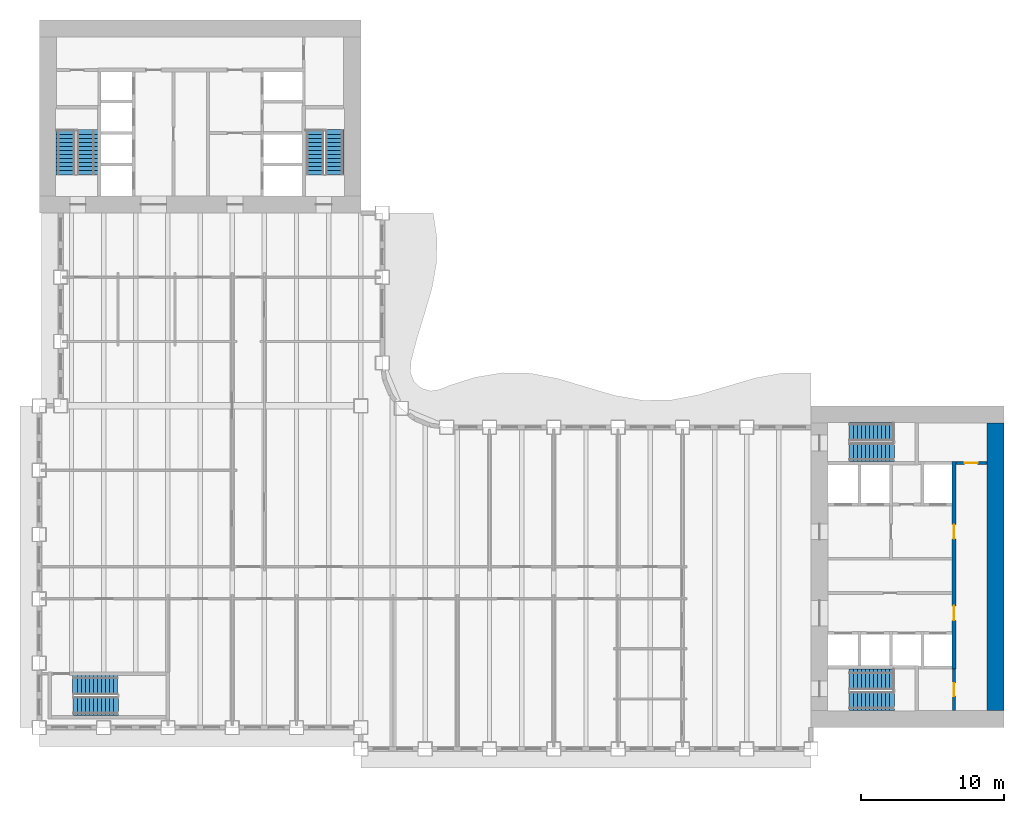
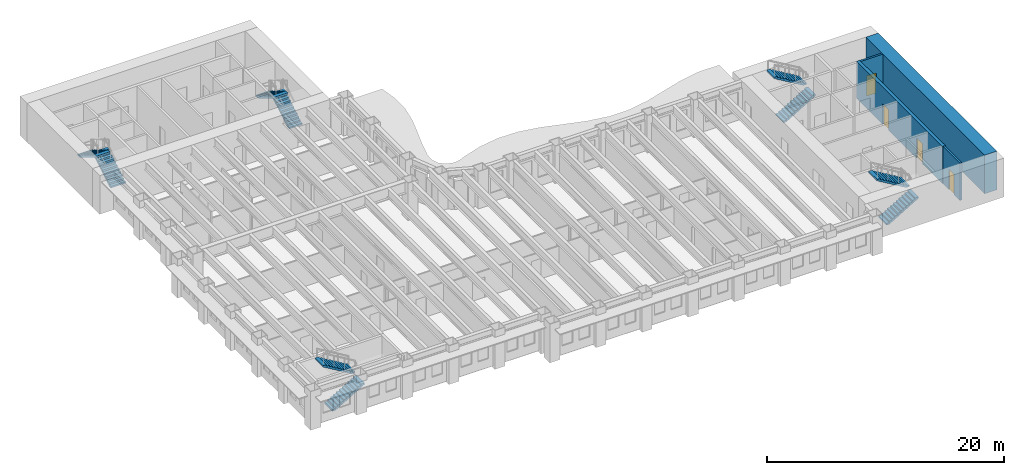
# One storey, part 10 of 16: 10 stair flights, 4 doors, 4 walls, 4 openings, 5 elements without a shape of their own.
"""IFC4 building model written with IfcOpenShell, lengths in metres."""

from ifc_helpers import new_model, si_unit, direction, frame, frame_2d, origin, place, context, subcontext, project, spatial, polyline, rectangle, outline, extrude, material, layer, layer_set, type_object, element, fill, aggregate, save


model = new_model("IFC4")

# Units and contexts
model_context = context("Model", 3, precision=1e-05, world=origin(), true_north=direction((0.0, 1.0)))
body_context = subcontext(model_context, "Body", "Model", "MODEL_VIEW")
ifc_project = project(units=[si_unit("LENGTHUNIT", "METRE"), si_unit("AREAUNIT", "SQUARE_METRE"), si_unit("VOLUMEUNIT", "CUBIC_METRE"), si_unit("PLANEANGLEUNIT", "RADIAN"), si_unit("MASSUNIT", "GRAM", prefix="KILO")], contexts=[model_context])

# Site, building, storey
site_placement = place(None, origin())
site = spatial("IfcSite", under=ifc_project, at=site_placement, CompositionType="ELEMENT")
building_placement = place(site_placement, origin())
building = spatial("IfcBuilding", under=site, at=building_placement, Name="Sennacour Bend Tower", CompositionType="ELEMENT")
storey_placement = place(building_placement, frame((0.0, 0.0, 115.0)))
storey = spatial("IfcBuildingStorey", under=building, at=storey_placement, Name="L26", CompositionType="ELEMENT", Elevation=115.0)

# Wall
ifc_material_1 = material(Name="Concrete C80/95", Category="concrete")
ifc_layer_1 = layer(ifc_material_1, 1.199951171875, Name="Concrete C80/95", Category="concrete")
ifc_layer_set_1 = layer_set([ifc_layer_1], Name="Concrete C80/95")
wall_type_1 = type_object("IfcWallType", Name="Core wall 1200 C80/95", PredefinedType="SHEAR", material=ifc_layer_set_1)
wall_1_placement = place(storey_placement, frame((66.89990234375, 1.199951171875, -0.14990234375), z_axis=(0.0, 0.0, 1.0), x_axis=(0.0, 1.0, 0.0)))
element("IfcWall", 1, at=wall_1_placement, inside=storey, type_object=wall_type_1, Name="Core A wall L26 E", PredefinedType="SHEAR", context=body_context, shape_type="SweptSolid", body=[
    extrude(rectangle(XDim=20.10009765625, YDim=1.199951171875, at=frame_2d((10.050048828125, 0.0))), origin(), (0.0, 0.0, 1.0), 4.0),
])

# Wall, opening, door
ifc_material_2 = material(Name="Fire-rated plasterboard partition on steel studs", Category="steel")
ifc_layer_2 = layer(ifc_material_2, 0.199951171875, Name="Fire-rated plasterboard partition on steel studs", Category="steel")
ifc_layer_set_2 = layer_set([ifc_layer_2], Name="Fire-rated plasterboard partition on steel studs")
wall_type_2 = type_object("IfcWallType", Name="Rated partition 200", PredefinedType="PARTITIONING", material=ifc_layer_set_2)
wall_2_placement = place(storey_placement, frame((64.0, 1.199951171875, 0.0), z_axis=(0.0, 0.0, 1.0), x_axis=(0.0, 1.0, 0.0)))
wall_2 = element("IfcWall", 2, at=wall_2_placement, inside=storey, type_object=wall_type_2, Name="P-L26-W044", PredefinedType="PARTITIONING", context=body_context, shape_type="SweptSolid", body=[
    extrude(rectangle(XDim=2.900146484375, YDim=0.199951171875, at=frame_2d((1.4501953125, 0.0))), origin(), (0.0, 0.0, 1.0), 3.85009765625),
])
opening_1_placement = place(wall_2_placement, frame((1.0, 0.0, 0.0)))
opening_1 = element("IfcOpeningElement", 3, at=opening_1_placement, cuts=wall_2, Name="Opening SV", PredefinedType="OPENING", context=body_context, shape_type="SweptSolid", body=[
    extrude(rectangle(XDim=0.89990234375, YDim=2.10009765625, at=frame_2d((0.449951171875, 1.050048828125))), frame((0.0, 0.10986328125, 0.0), z_axis=(0.0, -1.0, 0.0), x_axis=(1.0, 0.0, 0.0)), (0.0, 0.0, 1.0), 0.219970703125),
])
ifc_material_3 = material(Name="Painted steel", Category="steel")
door_type_1 = type_object("IfcDoorType", Name="DR-SERVICE-900", OperationType="NOTDEFINED", PredefinedType="DOOR", material=ifc_material_3)
door_1_placement = place(opening_1_placement, origin())
door_1 = element("IfcDoor", 4, at=door_1_placement, inside=storey, type_object=door_type_1, Name="Door", OperationType="SINGLE_SWING_LEFT", OverallHeight=2.10009765625, OverallWidth=0.89990234375, PredefinedType="DOOR", context=body_context, shape_type="SweptSolid", body=[
    extrude(rectangle(XDim=0.89990234375, YDim=2.10009765625, at=frame_2d((0.449951171875, 1.050048828125))), frame((0.0, 0.02490234375, 0.0), z_axis=(0.0, -1.0, 0.0), x_axis=(1.0, 0.0, 0.0)), (0.0, 0.0, 1.0), 0.050048828125),
])
fill(opening_1, door_1)

wall_3_placement = place(storey_placement, frame((64.14990234375, 18.5, 0.0), z_axis=(0.0, 0.0, 1.0), x_axis=(1.0, 0.0, 0.0)))
wall_3 = element("IfcWall", 5, at=wall_3_placement, inside=storey, type_object=wall_type_2, Name="P-L26-W066", PredefinedType="PARTITIONING", context=body_context, shape_type="SweptSolid", body=[
    extrude(rectangle(XDim=2.150146484375, YDim=0.199951171875, at=frame_2d((1.0751953125, 0.0))), origin(), (0.0, 0.0, 1.0), 3.85009765625),
])
opening_2_placement = place(wall_3_placement, frame((0.60009765625, 0.0, 0.0)))
opening_2 = element("IfcOpeningElement", 6, at=opening_2_placement, cuts=wall_3, Name="Opening SV", PredefinedType="OPENING", context=body_context, shape_type="SweptSolid", body=[
    extrude(rectangle(XDim=0.89990234375, YDim=2.10009765625, at=frame_2d((0.449951171875, 1.050048828125))), frame((0.0, 0.10986328125, 0.0), z_axis=(0.0, -1.0, 0.0), x_axis=(1.0, 0.0, 0.0)), (0.0, 0.0, 1.0), 0.219970703125),
])
door_2_placement = place(opening_2_placement, origin())
door_2 = element("IfcDoor", 7, at=door_2_placement, inside=storey, type_object=door_type_1, Name="Door", OperationType="SINGLE_SWING_LEFT", OverallHeight=2.10009765625, OverallWidth=0.89990234375, PredefinedType="DOOR", context=body_context, shape_type="SweptSolid", body=[
    extrude(rectangle(XDim=0.89990234375, YDim=2.10009765625, at=frame_2d((0.449951171875, 1.050048828125))), frame((0.0, 0.02490234375, 0.0), z_axis=(0.0, -1.0, 0.0), x_axis=(1.0, 0.0, 0.0)), (0.0, 0.0, 1.0), 0.050048828125),
])
fill(opening_2, door_2)

# Wall, openings, doors
ifc_material_4 = material(Name="Concrete C60/75", Category="concrete")
ifc_layer_3 = layer(ifc_material_4, 0.300048828125, Name="Concrete C60/75", Category="concrete")
ifc_layer_set_3 = layer_set([ifc_layer_3], Name="Concrete C60/75")
wall_type_3 = type_object("IfcWallType", Name="Spine wall 300", PredefinedType="SHEAR", material=ifc_layer_set_3)
wall_4_placement = place(storey_placement, frame((64.0, 4.10009765625, 0.0), z_axis=(0.0, 0.0, 1.0), x_axis=(0.0, 1.0, 0.0)))
wall_4 = element("IfcWall", 8, at=wall_4_placement, inside=storey, type_object=wall_type_3, Name="P-L26-W045", PredefinedType="SHEAR", context=body_context, shape_type="SweptSolid", body=[
    extrude(rectangle(XDim=14.5, YDim=0.300048828125, at=frame_2d((7.25, 0.0))), origin(), (0.0, 0.0, 1.0), 3.85009765625),
])
opening_3_placement = place(wall_4_placement, frame((3.39990234375, 0.0, 0.0)))
opening_3 = element("IfcOpeningElement", 9, at=opening_3_placement, cuts=wall_4, Name="Opening CD2", PredefinedType="OPENING", context=body_context, shape_type="SweptSolid", body=[
    extrude(rectangle(XDim=1.0, YDim=2.10009765625, at=frame_2d((0.5, 1.050048828125))), frame((0.0, 0.16015625, 0.0), z_axis=(0.0, -1.0, 0.0), x_axis=(1.0, 0.0, 0.0)), (0.0, 0.0, 1.0), 0.320068359375),
])
opening_4_placement = place(wall_4_placement, frame((9.099853515625, 0.0, 0.0)))
opening_4 = element("IfcOpeningElement", 10, at=opening_4_placement, cuts=wall_4, Name="Opening CD2", PredefinedType="OPENING", context=body_context, shape_type="SweptSolid", body=[
    extrude(rectangle(XDim=1.0, YDim=2.10009765625, at=frame_2d((0.5, 1.050048828125))), frame((0.0, 0.16015625, 0.0), z_axis=(0.0, -1.0, 0.0), x_axis=(1.0, 0.0, 0.0)), (0.0, 0.0, 1.0), 0.320068359375),
])
door_type_2 = type_object("IfcDoorType", Name="DR-LOBBY-1000", OperationType="NOTDEFINED", PredefinedType="DOOR", material=ifc_material_3)
door_3_placement = place(opening_3_placement, origin())
door_3 = element("IfcDoor", 11, at=door_3_placement, inside=storey, type_object=door_type_2, Name="Door", OperationType="SINGLE_SWING_LEFT", OverallHeight=2.10009765625, OverallWidth=1.0, PredefinedType="DOOR", context=body_context, shape_type="SweptSolid", body=[
    extrude(rectangle(XDim=1.0, YDim=2.10009765625, at=frame_2d((0.5, 1.050048828125))), frame((0.0, 0.02490234375, 0.0), z_axis=(0.0, -1.0, 0.0), x_axis=(1.0, 0.0, 0.0)), (0.0, 0.0, 1.0), 0.050048828125),
])
fill(opening_3, door_3)
door_4_placement = place(opening_4_placement, origin())
door_4 = element("IfcDoor", 12, at=door_4_placement, inside=storey, type_object=door_type_2, Name="Door", OperationType="SINGLE_SWING_RIGHT", OverallHeight=2.10009765625, OverallWidth=1.0, PredefinedType="DOOR", context=body_context, shape_type="SweptSolid", body=[
    extrude(rectangle(XDim=1.0, YDim=2.10009765625, at=frame_2d((0.5, 1.050048828125))), frame((0.0, 0.02490234375, 0.0), z_axis=(0.0, -1.0, 0.0), x_axis=(1.0, 0.0, 0.0)), (0.0, 0.0, 1.0), 0.050048828125),
])
fill(opening_4, door_4)

# Stair, stair flights
ifc_material_5 = material(Name="Concrete C40/50", Category="concrete")
stair_type = type_object("IfcStairType", Name="ST-DOGLEG", PredefinedType="HALF_TURN_STAIR", material=ifc_material_5)
stair_1_placement = place(storey_placement, origin())
stair_1 = element("IfcStair", 13, at=stair_1_placement, inside=storey, type_object=stair_type, Name="L26 Exit stair A1", PredefinedType="HALF_TURN_STAIR")
stair_flight_type = type_object("IfcStairFlightType", Name="SFL-RC", PredefinedType="STRAIGHT", material=ifc_material_5)
stair_flight_1_placement = place(storey_placement, frame((56.699951171875, 1.8349609375, 0.0), z_axis=(0.0, 0.0, 1.0), x_axis=(1.0, 0.0, 0.0)))
stair_flight_1 = element("IfcStairFlight", 14, at=stair_flight_1_placement, type_object=stair_flight_type, Name="SA1 flight 1", NumberOfRisers=12, NumberOfTreads=11, PredefinedType="STRAIGHT", RiserHeight=0.166666667, TreadLength=0.28, context=body_context, shape_type="SweptSolid", body=[
    extrude(outline(polyline([(0.0, 0.0), (0.0, 0.166748046875), (0.280029296875, 0.166748046875), (0.280029296875, 0.333251953125), (0.56005859375, 0.333251953125), (0.56005859375, 0.5), (0.840087890625, 0.5), (0.840087890625, 0.666748046875), (1.1201171875, 0.666748046875), (1.1201171875, 0.833251953125), (1.39990234375, 0.833251953125), (1.39990234375, 1.0), (1.679931640625, 1.0), (1.679931640625, 1.166748046875), (1.9599609375, 1.166748046875), (1.9599609375, 1.333251953125), (2.239990234375, 1.333251953125), (2.239990234375, 1.5), (2.52001953125, 1.5), (2.52001953125, 1.666748046875), (2.800048828125, 1.666748046875), (2.800048828125, 1.833251953125), (3.080078125, 1.833251953125), (3.139892578125, 1.833251953125), (3.139892578125, 1.658935546875), (3.080078125, 1.658935546875), (0.29296875, 0.0), (0.0, 0.0)])), frame((0.0, 0.6650390625, 0.0), z_axis=(0.0, -1.0, 0.0), x_axis=(1.0, 0.0, 0.0)), (0.0, 0.0, 1.0), 1.330078125),
])
stair_flight_2_placement = place(storey_placement, frame((59.780029296875, 3.37744140625, 2.0), z_axis=(0.0, 0.0, 1.0), x_axis=(-1.0, 0.0, 0.0)))
stair_flight_2 = element("IfcStairFlight", 15, at=stair_flight_2_placement, type_object=stair_flight_type, Name="SA1 flight 2", NumberOfRisers=12, NumberOfTreads=11, PredefinedType="STRAIGHT", RiserHeight=0.166666667, TreadLength=0.28, context=body_context, shape_type="SweptSolid", body=[
    extrude(outline(polyline([(0.0, 0.0), (0.0, 0.166748046875), (0.280029296875, 0.166748046875), (0.280029296875, 0.333251953125), (0.56005859375, 0.333251953125), (0.56005859375, 0.5), (0.840087890625, 0.5), (0.840087890625, 0.666748046875), (1.1201171875, 0.666748046875), (1.1201171875, 0.833251953125), (1.39990234375, 0.833251953125), (1.39990234375, 1.0), (1.679931640625, 1.0), (1.679931640625, 1.166748046875), (1.9599609375, 1.166748046875), (1.9599609375, 1.333251953125), (2.239990234375, 1.333251953125), (2.239990234375, 1.5), (2.52001953125, 1.5), (2.52001953125, 1.666748046875), (2.800048828125, 1.666748046875), (2.800048828125, 1.833251953125), (3.080078125, 1.833251953125), (3.139892578125, 1.833251953125), (3.139892578125, 1.658935546875), (3.080078125, 1.658935546875), (0.29296875, 0.0), (0.0, 0.0)])), frame((0.0, 0.7275390625, 0.0), z_axis=(0.0, -1.0, 0.0), x_axis=(1.0, 0.0, 0.0)), (0.0, 0.0, 1.0), 1.455078125),
])
aggregate(stair_1, [stair_flight_1, stair_flight_2])

stair_2_placement = place(storey_placement, origin())
stair_2 = element("IfcStair", 16, at=stair_2_placement, inside=storey, type_object=stair_type, Name="L26 Exit stair A2", PredefinedType="HALF_TURN_STAIR")
stair_flight_3_placement = place(storey_placement, frame((56.699951171875, 19.24755859375, 0.0), z_axis=(0.0, 0.0, 1.0), x_axis=(1.0, 0.0, 0.0)))
stair_flight_3 = element("IfcStairFlight", 17, at=stair_flight_3_placement, type_object=stair_flight_type, Name="SA2 flight 1", NumberOfRisers=12, NumberOfTreads=11, PredefinedType="STRAIGHT", RiserHeight=0.166666667, TreadLength=0.28, context=body_context, shape_type="SweptSolid", body=[
    extrude(outline(polyline([(0.0, 0.0), (0.0, 0.166748046875), (0.280029296875, 0.166748046875), (0.280029296875, 0.333251953125), (0.56005859375, 0.333251953125), (0.56005859375, 0.5), (0.840087890625, 0.5), (0.840087890625, 0.666748046875), (1.1201171875, 0.666748046875), (1.1201171875, 0.833251953125), (1.39990234375, 0.833251953125), (1.39990234375, 1.0), (1.679931640625, 1.0), (1.679931640625, 1.166748046875), (1.9599609375, 1.166748046875), (1.9599609375, 1.333251953125), (2.239990234375, 1.333251953125), (2.239990234375, 1.5), (2.52001953125, 1.5), (2.52001953125, 1.666748046875), (2.800048828125, 1.666748046875), (2.800048828125, 1.833251953125), (3.080078125, 1.833251953125), (3.139892578125, 1.833251953125), (3.139892578125, 1.658935546875), (3.080078125, 1.658935546875), (0.29296875, 0.0), (0.0, 0.0)])), frame((0.0, 0.65234375, 0.0), z_axis=(0.0, -1.0, 0.0), x_axis=(1.0, 0.0, 0.0)), (0.0, 0.0, 1.0), 1.304931640625),
])
stair_flight_4_placement = place(storey_placement, frame((59.780029296875, 20.68994140625, 2.0), z_axis=(0.0, 0.0, 1.0), x_axis=(-1.0, 0.0, 0.0)))
stair_flight_4 = element("IfcStairFlight", 18, at=stair_flight_4_placement, type_object=stair_flight_type, Name="SA2 flight 2", NumberOfRisers=12, NumberOfTreads=11, PredefinedType="STRAIGHT", RiserHeight=0.166666667, TreadLength=0.28, context=body_context, shape_type="SweptSolid", body=[
    extrude(outline(polyline([(0.0, 0.0), (0.0, 0.166748046875), (0.280029296875, 0.166748046875), (0.280029296875, 0.333251953125), (0.56005859375, 0.333251953125), (0.56005859375, 0.5), (0.840087890625, 0.5), (0.840087890625, 0.666748046875), (1.1201171875, 0.666748046875), (1.1201171875, 0.833251953125), (1.39990234375, 0.833251953125), (1.39990234375, 1.0), (1.679931640625, 1.0), (1.679931640625, 1.166748046875), (1.9599609375, 1.166748046875), (1.9599609375, 1.333251953125), (2.239990234375, 1.333251953125), (2.239990234375, 1.5), (2.52001953125, 1.5), (2.52001953125, 1.666748046875), (2.800048828125, 1.666748046875), (2.800048828125, 1.833251953125), (3.080078125, 1.833251953125), (3.139892578125, 1.833251953125), (3.139892578125, 1.658935546875), (3.080078125, 1.658935546875), (0.29296875, 0.0), (0.0, 0.0)])), frame((0.0, 0.64013671875, 0.0), z_axis=(0.0, -1.0, 0.0), x_axis=(1.0, 0.0, 0.0)), (0.0, 0.0, 1.0), 1.280029296875),
])
aggregate(stair_2, [stair_flight_3, stair_flight_4])

stair_3_placement = place(storey_placement, origin())
stair_3 = element("IfcStair", 19, at=stair_3_placement, inside=storey, type_object=stair_type, Name="L26 Exit stair B1", PredefinedType="HALF_TURN_STAIR")
stair_flight_5_placement = place(storey_placement, frame((3.37744140625, 38.699951171875, 0.0), z_axis=(0.0, 0.0, 1.0), x_axis=(0.0, 1.0, 0.0)))
stair_flight_5 = element("IfcStairFlight", 20, at=stair_flight_5_placement, type_object=stair_flight_type, Name="SB1 flight 1", NumberOfRisers=12, NumberOfTreads=11, PredefinedType="STRAIGHT", RiserHeight=0.166666667, TreadLength=0.28, context=body_context, shape_type="SweptSolid", body=[
    extrude(outline(polyline([(0.0, 0.0), (0.0, 0.166748046875), (0.280029296875, 0.166748046875), (0.280029296875, 0.333251953125), (0.56005859375, 0.333251953125), (0.56005859375, 0.5), (0.840087890625, 0.5), (0.840087890625, 0.666748046875), (1.1201171875, 0.666748046875), (1.1201171875, 0.833251953125), (1.39990234375, 0.833251953125), (1.39990234375, 1.0), (1.679931640625, 1.0), (1.679931640625, 1.166748046875), (1.9599609375, 1.166748046875), (1.9599609375, 1.333251953125), (2.239990234375, 1.333251953125), (2.239990234375, 1.5), (2.52001953125, 1.5), (2.52001953125, 1.666748046875), (2.800048828125, 1.666748046875), (2.800048828125, 1.833251953125), (3.080078125, 1.833251953125), (3.139892578125, 1.833251953125), (3.139892578125, 1.658935546875), (3.080078125, 1.658935546875), (0.29296875, 0.0), (0.0, 0.0)])), frame((0.0, 0.7275390625, 0.0), z_axis=(0.0, -1.0, 0.0), x_axis=(1.0, 0.0, 0.0)), (0.0, 0.0, 1.0), 1.455078125),
])
stair_flight_6_placement = place(storey_placement, frame((1.8349609375, 41.780029296875, 2.0), z_axis=(0.0, 0.0, 1.0), x_axis=(0.0, -1.0, 0.0)))
stair_flight_6 = element("IfcStairFlight", 21, at=stair_flight_6_placement, type_object=stair_flight_type, Name="SB1 flight 2", NumberOfRisers=12, NumberOfTreads=11, PredefinedType="STRAIGHT", RiserHeight=0.166666667, TreadLength=0.28, context=body_context, shape_type="SweptSolid", body=[
    extrude(outline(polyline([(0.0, 0.0), (0.0, 0.166748046875), (0.280029296875, 0.166748046875), (0.280029296875, 0.333251953125), (0.56005859375, 0.333251953125), (0.56005859375, 0.5), (0.840087890625, 0.5), (0.840087890625, 0.666748046875), (1.1201171875, 0.666748046875), (1.1201171875, 0.833251953125), (1.39990234375, 0.833251953125), (1.39990234375, 1.0), (1.679931640625, 1.0), (1.679931640625, 1.166748046875), (1.9599609375, 1.166748046875), (1.9599609375, 1.333251953125), (2.239990234375, 1.333251953125), (2.239990234375, 1.5), (2.52001953125, 1.5), (2.52001953125, 1.666748046875), (2.800048828125, 1.666748046875), (2.800048828125, 1.833251953125), (3.080078125, 1.833251953125), (3.139892578125, 1.833251953125), (3.139892578125, 1.658935546875), (3.080078125, 1.658935546875), (0.29296875, 0.0), (0.0, 0.0)])), frame((0.0, 0.6650390625, 0.0), z_axis=(0.0, -1.0, 0.0), x_axis=(1.0, 0.0, 0.0)), (0.0, 0.0, 1.0), 1.330078125),
])
aggregate(stair_3, [stair_flight_5, stair_flight_6])

stair_4_placement = place(storey_placement, origin())
stair_4 = element("IfcStair", 22, at=stair_4_placement, inside=storey, type_object=stair_type, Name="L26 Exit stair B2", PredefinedType="HALF_TURN_STAIR")
stair_flight_7_placement = place(storey_placement, frame((20.68994140625, 38.699951171875, 0.0), z_axis=(0.0, 0.0, 1.0), x_axis=(0.0, 1.0, 0.0)))
stair_flight_7 = element("IfcStairFlight", 23, at=stair_flight_7_placement, type_object=stair_flight_type, Name="SB2 flight 1", NumberOfRisers=12, NumberOfTreads=11, PredefinedType="STRAIGHT", RiserHeight=0.166666667, TreadLength=0.28, context=body_context, shape_type="SweptSolid", body=[
    extrude(outline(polyline([(0.0, 0.0), (0.0, 0.166748046875), (0.280029296875, 0.166748046875), (0.280029296875, 0.333251953125), (0.56005859375, 0.333251953125), (0.56005859375, 0.5), (0.840087890625, 0.5), (0.840087890625, 0.666748046875), (1.1201171875, 0.666748046875), (1.1201171875, 0.833251953125), (1.39990234375, 0.833251953125), (1.39990234375, 1.0), (1.679931640625, 1.0), (1.679931640625, 1.166748046875), (1.9599609375, 1.166748046875), (1.9599609375, 1.333251953125), (2.239990234375, 1.333251953125), (2.239990234375, 1.5), (2.52001953125, 1.5), (2.52001953125, 1.666748046875), (2.800048828125, 1.666748046875), (2.800048828125, 1.833251953125), (3.080078125, 1.833251953125), (3.139892578125, 1.833251953125), (3.139892578125, 1.658935546875), (3.080078125, 1.658935546875), (0.29296875, 0.0), (0.0, 0.0)])), frame((0.0, 0.64013671875, 0.0), z_axis=(0.0, -1.0, 0.0), x_axis=(1.0, 0.0, 0.0)), (0.0, 0.0, 1.0), 1.280029296875),
])
stair_flight_8_placement = place(storey_placement, frame((19.24755859375, 41.780029296875, 2.0), z_axis=(0.0, 0.0, 1.0), x_axis=(0.0, -1.0, 0.0)))
stair_flight_8 = element("IfcStairFlight", 24, at=stair_flight_8_placement, type_object=stair_flight_type, Name="SB2 flight 2", NumberOfRisers=12, NumberOfTreads=11, PredefinedType="STRAIGHT", RiserHeight=0.166666667, TreadLength=0.28, context=body_context, shape_type="SweptSolid", body=[
    extrude(outline(polyline([(0.0, 0.0), (0.0, 0.166748046875), (0.280029296875, 0.166748046875), (0.280029296875, 0.333251953125), (0.56005859375, 0.333251953125), (0.56005859375, 0.5), (0.840087890625, 0.5), (0.840087890625, 0.666748046875), (1.1201171875, 0.666748046875), (1.1201171875, 0.833251953125), (1.39990234375, 0.833251953125), (1.39990234375, 1.0), (1.679931640625, 1.0), (1.679931640625, 1.166748046875), (1.9599609375, 1.166748046875), (1.9599609375, 1.333251953125), (2.239990234375, 1.333251953125), (2.239990234375, 1.5), (2.52001953125, 1.5), (2.52001953125, 1.666748046875), (2.800048828125, 1.666748046875), (2.800048828125, 1.833251953125), (3.080078125, 1.833251953125), (3.139892578125, 1.833251953125), (3.139892578125, 1.658935546875), (3.080078125, 1.658935546875), (0.29296875, 0.0), (0.0, 0.0)])), frame((0.0, 0.65234375, 0.0), z_axis=(0.0, -1.0, 0.0), x_axis=(1.0, 0.0, 0.0)), (0.0, 0.0, 1.0), 1.304931640625),
])
aggregate(stair_4, [stair_flight_7, stair_flight_8])

stair_5_placement = place(storey_placement, origin())
stair_5 = element("IfcStair", 25, at=stair_5_placement, inside=storey, type_object=stair_type, Name="L26 Exit stair K1", PredefinedType="HALF_TURN_STAIR")
stair_flight_9_placement = place(storey_placement, frame((2.39990234375, 1.485107421875, 0.0), z_axis=(0.0, 0.0, 1.0), x_axis=(1.0, 0.0, 0.0)))
stair_flight_9 = element("IfcStairFlight", 26, at=stair_flight_9_placement, type_object=stair_flight_type, Name="SK1 flight 1", NumberOfRisers=12, NumberOfTreads=11, PredefinedType="STRAIGHT", RiserHeight=0.166666667, TreadLength=0.28, context=body_context, shape_type="SweptSolid", body=[
    extrude(outline(polyline([(0.0, 0.0), (0.0, 0.166748046875), (0.280029296875, 0.166748046875), (0.280029296875, 0.333251953125), (0.56005859375, 0.333251953125), (0.56005859375, 0.5), (0.840087890625, 0.5), (0.840087890625, 0.666748046875), (1.1201171875, 0.666748046875), (1.1201171875, 0.833251953125), (1.39990234375, 0.833251953125), (1.39990234375, 1.0), (1.679931640625, 1.0), (1.679931640625, 1.166748046875), (1.9599609375, 1.166748046875), (1.9599609375, 1.333251953125), (2.239990234375, 1.333251953125), (2.239990234375, 1.5), (2.52001953125, 1.5), (2.52001953125, 1.666748046875), (2.800048828125, 1.666748046875), (2.800048828125, 1.833251953125), (3.080078125, 1.833251953125), (3.139892578125, 1.833251953125), (3.139892578125, 1.658935546875), (3.080078125, 1.658935546875), (0.29296875, 0.0), (0.0, 0.0)])), frame((0.0, 0.6650390625, 0.0), z_axis=(0.0, -1.0, 0.0), x_axis=(1.0, 0.0, 0.0)), (0.0, 0.0, 1.0), 1.330078125),
])
stair_flight_10_placement = place(storey_placement, frame((5.47998046875, 2.9775390625, 2.0), z_axis=(0.0, 0.0, 1.0), x_axis=(-1.0, 0.0, 0.0)))
stair_flight_10 = element("IfcStairFlight", 27, at=stair_flight_10_placement, type_object=stair_flight_type, Name="SK1 flight 2", NumberOfRisers=12, NumberOfTreads=11, PredefinedType="STRAIGHT", RiserHeight=0.166666667, TreadLength=0.28, context=body_context, shape_type="SweptSolid", body=[
    extrude(outline(polyline([(0.0, 0.0), (0.0, 0.166748046875), (0.280029296875, 0.166748046875), (0.280029296875, 0.333251953125), (0.56005859375, 0.333251953125), (0.56005859375, 0.5), (0.840087890625, 0.5), (0.840087890625, 0.666748046875), (1.1201171875, 0.666748046875), (1.1201171875, 0.833251953125), (1.39990234375, 0.833251953125), (1.39990234375, 1.0), (1.679931640625, 1.0), (1.679931640625, 1.166748046875), (1.9599609375, 1.166748046875), (1.9599609375, 1.333251953125), (2.239990234375, 1.333251953125), (2.239990234375, 1.5), (2.52001953125, 1.5), (2.52001953125, 1.666748046875), (2.800048828125, 1.666748046875), (2.800048828125, 1.833251953125), (3.080078125, 1.833251953125), (3.139892578125, 1.833251953125), (3.139892578125, 1.658935546875), (3.080078125, 1.658935546875), (0.29296875, 0.0), (0.0, 0.0)])), frame((0.0, 0.677490234375, 0.0), z_axis=(0.0, -1.0, 0.0), x_axis=(1.0, 0.0, 0.0)), (0.0, 0.0, 1.0), 1.35498046875),
])
aggregate(stair_5, [stair_flight_9, stair_flight_10])

save(model, "model.ifc")
